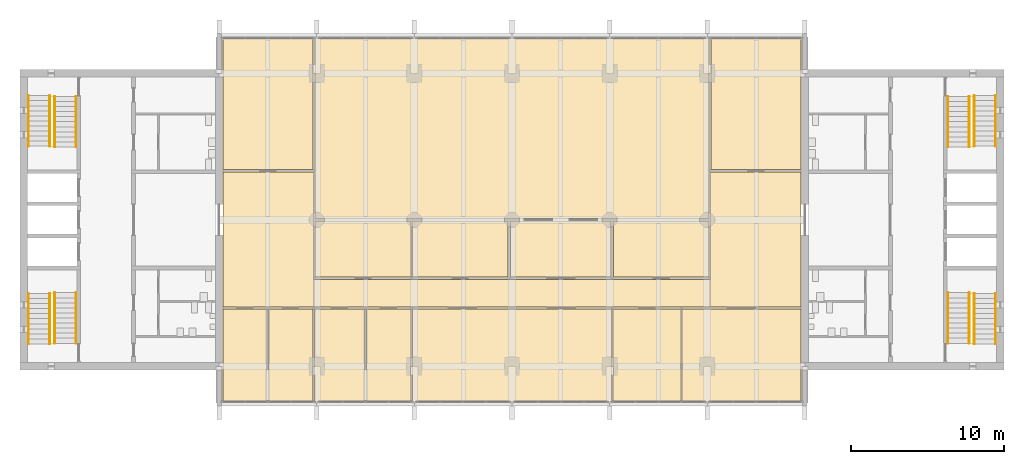
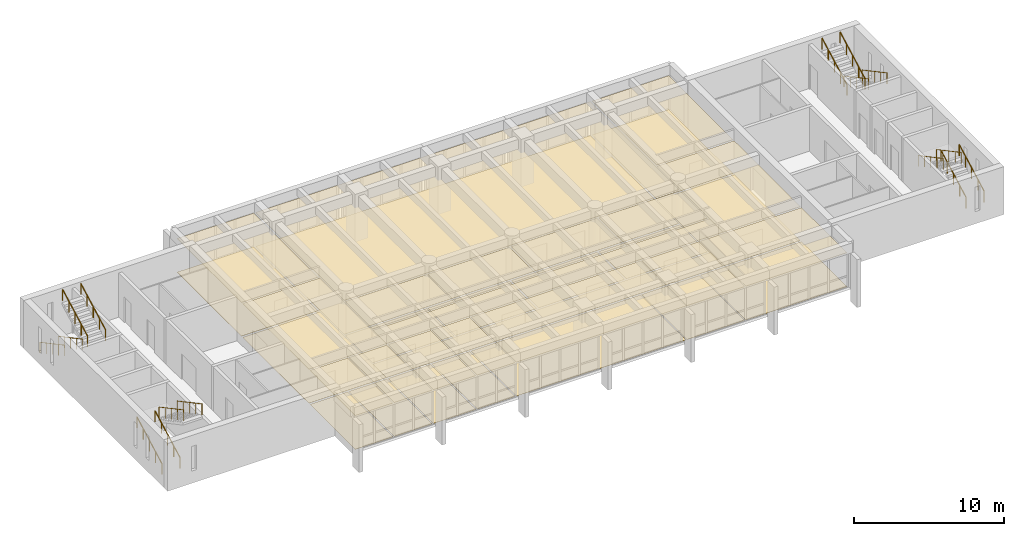
# One storey, part 14 of 15: 34 coverings, 16 railings.
"""IFC4 building model written with IfcOpenShell, lengths in metres."""

import ifcopenshell
import ifcopenshell.guid

model = None  # the IFC model being written
_history = None  # IfcOwnerHistory: only IFC2X3 demands one
_inside = {}  # id of a spatial element -> (the spatial element, [elements in it])
_under = {}  # id of a project, library or spatial element -> (it, [spatial elements below it])
_declared = {}  # id of a project -> (the project, [libraries it declares])
_typed = {}  # id of a type object -> (the type object, [elements of that type])
_made_of = {}  # id of a material, layer set ... -> (it, [elements and type objects made of it])


def new_model(schema):
    """Start an empty IFC model of exactly this schema.

    Asked for "IFC4X3", IfcOpenShell would pick the latest addendum, in which some entities
    have other attributes; the version numbers below select the first issue.
    IFC2X3 requires an IfcOwnerHistory on every rooted entity: one is made here for all.
    """
    global model, _history
    if schema == "IFC4X3":
        model = ifcopenshell.file(schema_version=(4, 3, 0, 0))
    else:
        model = ifcopenshell.file(schema=schema)
    _inside.clear()
    _under.clear()
    _declared.clear()
    _typed.clear()
    _made_of.clear()
    _history = None
    if model.schema == "IFC2X3":
        org = make("IfcOrganization", Name="unknown")
        user = make(
            "IfcPersonAndOrganization",
            ThePerson=make("IfcPerson", FamilyName="unknown"),
            TheOrganization=org,
        )
        app = make(
            "IfcApplication",
            ApplicationDeveloper=org,
            Version="unknown",
            ApplicationFullName="unknown",
            ApplicationIdentifier="unknown",
        )
        _history = make(
            "IfcOwnerHistory",
            OwningUser=user,
            OwningApplication=app,
            ChangeAction="ADDED",
            CreationDate=0,
        )
    return model


def make(cls, **values):
    """One entity of the class cls with the attributes given. An attribute that is None is left unset."""
    return model.create_entity(
        cls, **{name: value for name, value in values.items() if value is not None}
    )


def rooted(cls, **values):
    """An entity with a GlobalId (a new one), such as an element, a storey or a relation."""
    return make(cls, GlobalId=ifcopenshell.guid.new(), OwnerHistory=_history, **values)


def si_unit(unit_type, name, prefix=None):
    """IfcSIUnit, for example si_unit("LENGTHUNIT", "METRE", prefix="MILLI")."""
    return make("IfcSIUnit", UnitType=unit_type, Prefix=prefix, Name=name)


def assignment(units):
    """IfcUnitAssignment: the units of a project."""
    return None if units is None else make("IfcUnitAssignment", Units=units)


def point(xyz):
    """IfcCartesianPoint."""
    return None if xyz is None else make("IfcCartesianPoint", Coordinates=xyz)


def direction(xyz):
    """IfcDirection."""
    return None if xyz is None else make("IfcDirection", DirectionRatios=xyz)


def frame(location, z_axis=None, x_axis=None):
    """IfcAxis2Placement3D, a coordinate frame: its origin and axes. An axis left out is left unset."""
    return make(
        "IfcAxis2Placement3D",
        Location=point(location),
        Axis=direction(z_axis),
        RefDirection=direction(x_axis),
    )


def frame_2d(location, x_axis=None):
    """IfcAxis2Placement2D, a coordinate frame in the plane: its origin and x axis."""
    return make(
        "IfcAxis2Placement2D", Location=point(location), RefDirection=direction(x_axis)
    )


def origin():
    """The frame at (0, 0, 0) with its axes left unset."""
    return frame((0.0, 0.0, 0.0))


def origin_2d():
    """The frame at (0, 0) in the plane with its x axis left unset."""
    return frame_2d((0.0, 0.0))


def place(relative_to, where):
    """IfcLocalPlacement: puts the frame where relative to a parent placement (None: the world)."""
    return make(
        "IfcLocalPlacement", PlacementRelTo=relative_to, RelativePlacement=where
    )


def context(
    kind, dimensions, precision=None, world=None, true_north=None, identifier=None
):
    """IfcGeometricRepresentationContext, for example the 3D "Model" context."""
    return make(
        "IfcGeometricRepresentationContext",
        ContextIdentifier=identifier,
        ContextType=kind,
        CoordinateSpaceDimension=dimensions,
        Precision=precision,
        WorldCoordinateSystem=world,
        TrueNorth=true_north,
    )


def subcontext(parent, identifier, kind, view, scale=None):
    """IfcGeometricRepresentationSubContext, for example "Body" below "Model"."""
    return make(
        "IfcGeometricRepresentationSubContext",
        ContextIdentifier=identifier,
        ContextType=kind,
        ParentContext=parent,
        TargetScale=scale,
        TargetView=view,
    )


def project(units=None, contexts=None):
    """IfcProject with its units and contexts."""
    return rooted(
        "IfcProject",
        Name="project",
        RepresentationContexts=contexts,
        UnitsInContext=assignment(units),
    )


def spatial(cls, under=None, at=None, **own):
    """A site, building, storey or space (cls), placed at a placement, below another one or the project."""
    s = rooted(cls, ObjectPlacement=at, **own)
    if under is not None:
        _under.setdefault(under.id(), (under, []))[1].append(s)
    return s


def polyline(points):
    """IfcPolyline through the points."""
    return make("IfcPolyline", Points=[point(p) for p in points])


def profile(cls, at=None, kind="AREA", **sizes):
    """A parametric profile (cls). Its sizes go by their IFC names, for example OverallWidth=200.0."""
    return make(cls, ProfileType=kind, Position=at, **sizes)


def circle(**sizes):
    """IfcCircleProfileDef."""
    return profile("IfcCircleProfileDef", **sizes)


def outline(outer, holes=None, kind="AREA"):
    """IfcArbitraryClosedProfileDef: a profile drawn as a closed curve; with holes, ...WithVoids."""
    if holes is None:
        return make("IfcArbitraryClosedProfileDef", ProfileType=kind, OuterCurve=outer)
    return make(
        "IfcArbitraryProfileDefWithVoids",
        ProfileType=kind,
        OuterCurve=outer,
        InnerCurves=holes,
    )


def extrude(swept, where, along, depth):
    """IfcExtrudedAreaSolid: the profile swept, set in the frame where, extruded along a direction by depth."""
    return make(
        "IfcExtrudedAreaSolid",
        SweptArea=swept,
        Position=where,
        ExtrudedDirection=direction(along),
        Depth=depth,
    )


def shape(context_of_items, identifier, shape_type, items):
    """IfcShapeRepresentation: the items that make up one representation, for example the "Body"."""
    return make(
        "IfcShapeRepresentation",
        ContextOfItems=context_of_items,
        RepresentationIdentifier=identifier,
        RepresentationType=shape_type,
        Items=items,
    )


def material(Name=None, Category=None):
    """IfcMaterial."""
    return make("IfcMaterial", Name=Name, Category=Category)


def layer(
    of_material, thickness, ventilated=None, Name=None, Category=None, Priority=None
):
    """IfcMaterialLayer: one layer of a wall or slab, of a material (None: an air gap)."""
    return make(
        "IfcMaterialLayer",
        Material=of_material,
        LayerThickness=thickness,
        IsVentilated=ventilated,
        Name=Name,
        Category=Category,
        Priority=Priority,
    )


def layer_set(layers, Name=None):
    """IfcMaterialLayerSet."""
    return make("IfcMaterialLayerSet", MaterialLayers=layers, LayerSetName=Name)


def made_of(thing, what):
    """Note that an element or type object is made of a material, layer set ...; save() writes the relation."""
    if what is not None:
        _made_of.setdefault(what.id(), (what, []))[1].append(thing)
    return thing


def type_object(cls, material=None, **own):
    """A type object (cls), such as IfcWallType, which elements share."""
    return made_of(rooted(cls, **own), material)


def element(
    cls,
    number,
    at=None,
    inside=None,
    cuts=None,
    type_object=None,
    material=None,
    context=None,
    identifier="Body",
    shape_type=None,
    held_by="IfcProductDefinitionShape",
    body=None,
    shapes=None,
    **own,
):
    """One element of the class cls, such as IfcWall. Its Tag is "e" and its number.

    at: its placement. inside: the storey or other place that contains it. cuts: it is an
    opening in that element (IfcRelVoidsElement). A single representation is given by context,
    identifier, shape_type and body (its items); several are given by shapes. held_by: the class
    of the entity that holds the representations. save() writes the other relations.
    """
    e = rooted(cls, Tag="e%d" % number, ObjectPlacement=at, **own)
    if body is not None:
        shapes = [shape(context, identifier, shape_type, body)]
    if shapes is not None:
        e.Representation = make(held_by, Representations=shapes)
    if inside is not None:
        _inside.setdefault(inside.id(), (inside, []))[1].append(e)
    if cuts is not None:
        rooted(
            "IfcRelVoidsElement", RelatingBuildingElement=cuts, RelatedOpeningElement=e
        )
    if type_object is not None:
        _typed.setdefault(type_object.id(), (type_object, []))[1].append(e)
    return made_of(e, material)


def aggregate(whole, parts):
    """IfcRelAggregates: a whole, such as a stair, and the parts it consists of."""
    return rooted("IfcRelAggregates", RelatingObject=whole, RelatedObjects=parts)


def save(model, path):
    """Write the relations noted so far, then the file.

    IfcRelAggregates (storeys below a building ...), IfcRelContainedInSpatialStructure (elements
    in a storey), IfcRelDefinesByType, IfcRelAssociatesMaterial and IfcRelDeclares: one each for
    every whole, place, type object, material and project.
    """
    for whole, parts in _under.values():
        aggregate(whole, parts)
    for where, things in _inside.values():
        rooted(
            "IfcRelContainedInSpatialStructure",
            RelatedElements=things,
            RelatingStructure=where,
        )
    for kind, things in _typed.values():
        rooted("IfcRelDefinesByType", RelatedObjects=things, RelatingType=kind)
    for what, things in _made_of.values():
        rooted("IfcRelAssociatesMaterial", RelatedObjects=things, RelatingMaterial=what)
    for by, libraries in _declared.values():
        rooted("IfcRelDeclares", RelatingContext=by, RelatedDefinitions=libraries)
    model.write(path)


model = new_model("IFC4")

# Units and contexts
model_context = context("Model", 3, precision=1e-05, world=origin(), true_north=direction((0.0, 1.0)))
body_context = subcontext(model_context, "Body", "Model", "MODEL_VIEW")
ifc_project = project(units=[si_unit("LENGTHUNIT", "METRE"), si_unit("AREAUNIT", "SQUARE_METRE"), si_unit("VOLUMEUNIT", "CUBIC_METRE"), si_unit("PLANEANGLEUNIT", "RADIAN"), si_unit("MASSUNIT", "GRAM", prefix="KILO")], contexts=[model_context])

# Site, building, storey
site_placement = place(None, origin())
site = spatial("IfcSite", under=ifc_project, at=site_placement, CompositionType="ELEMENT")
building_placement = place(site_placement, origin())
building = spatial("IfcBuilding", under=site, at=building_placement, Name="Fogon Plaza Fire Station and Headquarters Tower", CompositionType="ELEMENT")
storey_placement = place(building_placement, frame((0.0, 0.0, 28.800048828125)))
storey = spatial("IfcBuildingStorey", under=building, at=storey_placement, Name="L07", CompositionType="ELEMENT", Elevation=28.800048828125)

# Railings
ifc_material_1 = material(Name="Steel", Category="steel")
railing_type = type_object("IfcRailingType", Name="Stair Handrail 900", PredefinedType="HANDRAIL", material=ifc_material_1)
for number, where, name in (
    (1, (13.10009765625, 35.06005859375, 0.17724609375), "Handrail ST1"),
    (2, (14.5, 35.06005859375, 0.17724609375), "Handrail ST1"),
):
    element("IfcRailing", number, at=place(storey_placement, frame(where)), inside=storey, type_object=railing_type, Name=name, PredefinedType="HANDRAIL", context=body_context, shape_type="SweptSolid", body=[
        extrude(circle(Radius=0.02392578125, at=origin_2d()), frame((0.0, 0.0, 0.8759765625), z_axis=(0.0, 0.881829236777, 0.471568867892), x_axis=(-1.0, 0.0, 0.0)), (0.0, 0.0, 1.0), 3.75927734375),
        extrude(circle(Radius=0.02099609375, at=origin_2d()), origin(), (0.0, 0.0, 1.0), 0.851806640625),
        extrude(circle(Radius=0.02099609375, at=origin_2d()), frame((0.0, 0.82861328125, 0.443115234375)), (0.0, 0.0, 1.0), 0.851806640625),
        extrude(circle(Radius=0.02099609375, at=origin_2d()), frame((0.0, 1.657470703125, 0.88623046875)), (0.0, 0.0, 1.0), 0.851806640625),
        extrude(circle(Radius=0.02099609375, at=origin_2d()), frame((0.0, 2.486328125, 1.32958984375)), (0.0, 0.0, 1.0), 0.851806640625),
        extrude(circle(Radius=0.02099609375, at=origin_2d()), frame((0.0, 3.31494140625, 1.772705078125)), (0.0, 0.0, 1.0), 0.851806640625),
    ])
for number, where, name in (
    (3, (16.22509765625, 38.425048828125, 2.127197265625), "Handrail ST1"),
    (4, (14.824951171875, 38.425048828125, 2.127197265625), "Handrail ST1"),
):
    element("IfcRailing", number, at=place(storey_placement, frame(where)), inside=storey, type_object=railing_type, Name=name, PredefinedType="HANDRAIL", context=body_context, shape_type="SweptSolid", body=[
        extrude(circle(Radius=0.02392578125, at=origin_2d()), frame((0.0, 0.0, 0.8759765625), z_axis=(0.0, -0.881829236777, 0.471568867892), x_axis=(1.0, 0.0, 0.0)), (0.0, 0.0, 1.0), 3.75927734375),
        extrude(circle(Radius=0.02099609375, at=origin_2d()), origin(), (0.0, 0.0, 1.0), 0.851806640625),
        extrude(circle(Radius=0.02099609375, at=origin_2d()), frame((0.0, -0.82861328125, 0.443115234375)), (0.0, 0.0, 1.0), 0.851806640625),
        extrude(circle(Radius=0.02099609375, at=origin_2d()), frame((0.0, -1.657470703125, 0.88623046875)), (0.0, 0.0, 1.0), 0.851806640625),
        extrude(circle(Radius=0.02099609375, at=origin_2d()), frame((0.0, -2.486328125, 1.32958984375)), (0.0, 0.0, 1.0), 0.851806640625),
        extrude(circle(Radius=0.02099609375, at=origin_2d()), frame((0.0, -3.31494140625, 1.772705078125)), (0.0, 0.0, 1.0), 0.851806640625),
    ])
for number, where, name in (
    (5, (13.10009765625, 51.340087890625, 0.17724609375), "Handrail ST2"),
    (6, (14.5, 51.340087890625, 0.17724609375), "Handrail ST2"),
):
    element("IfcRailing", number, at=place(storey_placement, frame(where)), inside=storey, type_object=railing_type, Name=name, PredefinedType="HANDRAIL", context=body_context, shape_type="SweptSolid", body=[
        extrude(circle(Radius=0.02392578125, at=origin_2d()), frame((0.0, 0.0, 0.8759765625), z_axis=(0.0, -0.881843677922, 0.471541862095), x_axis=(1.0, 0.0, 0.0)), (0.0, 0.0, 1.0), 3.75927734375),
        extrude(circle(Radius=0.02099609375, at=origin_2d()), origin(), (0.0, 0.0, 1.0), 0.851806640625),
        extrude(circle(Radius=0.02099609375, at=origin_2d()), frame((0.0, -0.828857421875, 0.443115234375)), (0.0, 0.0, 1.0), 0.851806640625),
        extrude(circle(Radius=0.02099609375, at=origin_2d()), frame((0.0, -1.65771484375, 0.88623046875)), (0.0, 0.0, 1.0), 0.851806640625),
        extrude(circle(Radius=0.02099609375, at=origin_2d()), frame((0.0, -2.486328125, 1.32958984375)), (0.0, 0.0, 1.0), 0.851806640625),
        extrude(circle(Radius=0.02099609375, at=origin_2d()), frame((0.0, -3.315185546875, 1.772705078125)), (0.0, 0.0, 1.0), 0.851806640625),
    ])
for number, where, name in (
    (7, (16.22509765625, 47.97509765625, 2.127197265625), "Handrail ST2"),
    (8, (14.824951171875, 47.97509765625, 2.127197265625), "Handrail ST2"),
    (9, (76.5, 35.06005859375, 0.17724609375), "Handrail ST3"),
    (10, (75.10009765625, 35.06005859375, 0.17724609375), "Handrail ST3"),
):
    element("IfcRailing", number, at=place(storey_placement, frame(where)), inside=storey, type_object=railing_type, Name=name, PredefinedType="HANDRAIL", context=body_context, shape_type="SweptSolid", body=[
        extrude(circle(Radius=0.02392578125, at=origin_2d()), frame((0.0, 0.0, 0.8759765625), z_axis=(0.0, 0.881829236777, 0.471568867892), x_axis=(-1.0, 0.0, 0.0)), (0.0, 0.0, 1.0), 3.75927734375),
        extrude(circle(Radius=0.02099609375, at=origin_2d()), origin(), (0.0, 0.0, 1.0), 0.851806640625),
        extrude(circle(Radius=0.02099609375, at=origin_2d()), frame((0.0, 0.82861328125, 0.443115234375)), (0.0, 0.0, 1.0), 0.851806640625),
        extrude(circle(Radius=0.02099609375, at=origin_2d()), frame((0.0, 1.657470703125, 0.88623046875)), (0.0, 0.0, 1.0), 0.851806640625),
        extrude(circle(Radius=0.02099609375, at=origin_2d()), frame((0.0, 2.486328125, 1.32958984375)), (0.0, 0.0, 1.0), 0.851806640625),
        extrude(circle(Radius=0.02099609375, at=origin_2d()), frame((0.0, 3.31494140625, 1.772705078125)), (0.0, 0.0, 1.0), 0.851806640625),
    ])
for number, where, name in (
    (11, (73.375, 38.425048828125, 2.127197265625), "Handrail ST3"),
    (12, (74.77490234375, 38.425048828125, 2.127197265625), "Handrail ST3"),
):
    element("IfcRailing", number, at=place(storey_placement, frame(where)), inside=storey, type_object=railing_type, Name=name, PredefinedType="HANDRAIL", context=body_context, shape_type="SweptSolid", body=[
        extrude(circle(Radius=0.02392578125, at=origin_2d()), frame((0.0, 0.0, 0.8759765625), z_axis=(0.0, -0.881829236777, 0.471568867892), x_axis=(1.0, 0.0, 0.0)), (0.0, 0.0, 1.0), 3.75927734375),
        extrude(circle(Radius=0.02099609375, at=origin_2d()), origin(), (0.0, 0.0, 1.0), 0.851806640625),
        extrude(circle(Radius=0.02099609375, at=origin_2d()), frame((0.0, -0.82861328125, 0.443115234375)), (0.0, 0.0, 1.0), 0.851806640625),
        extrude(circle(Radius=0.02099609375, at=origin_2d()), frame((0.0, -1.657470703125, 0.88623046875)), (0.0, 0.0, 1.0), 0.851806640625),
        extrude(circle(Radius=0.02099609375, at=origin_2d()), frame((0.0, -2.486328125, 1.32958984375)), (0.0, 0.0, 1.0), 0.851806640625),
        extrude(circle(Radius=0.02099609375, at=origin_2d()), frame((0.0, -3.31494140625, 1.772705078125)), (0.0, 0.0, 1.0), 0.851806640625),
    ])
for number, where, name in (
    (13, (76.5, 51.340087890625, 0.17724609375), "Handrail ST4"),
    (14, (75.10009765625, 51.340087890625, 0.17724609375), "Handrail ST4"),
):
    element("IfcRailing", number, at=place(storey_placement, frame(where)), inside=storey, type_object=railing_type, Name=name, PredefinedType="HANDRAIL", context=body_context, shape_type="SweptSolid", body=[
        extrude(circle(Radius=0.02392578125, at=origin_2d()), frame((0.0, 0.0, 0.8759765625), z_axis=(0.0, -0.881843677922, 0.471541862095), x_axis=(1.0, 0.0, 0.0)), (0.0, 0.0, 1.0), 3.75927734375),
        extrude(circle(Radius=0.02099609375, at=origin_2d()), origin(), (0.0, 0.0, 1.0), 0.851806640625),
        extrude(circle(Radius=0.02099609375, at=origin_2d()), frame((0.0, -0.828857421875, 0.443115234375)), (0.0, 0.0, 1.0), 0.851806640625),
        extrude(circle(Radius=0.02099609375, at=origin_2d()), frame((0.0, -1.65771484375, 0.88623046875)), (0.0, 0.0, 1.0), 0.851806640625),
        extrude(circle(Radius=0.02099609375, at=origin_2d()), frame((0.0, -2.486328125, 1.32958984375)), (0.0, 0.0, 1.0), 0.851806640625),
        extrude(circle(Radius=0.02099609375, at=origin_2d()), frame((0.0, -3.315185546875, 1.772705078125)), (0.0, 0.0, 1.0), 0.851806640625),
    ])
for number, where, name in (
    (15, (73.375, 47.97509765625, 2.127197265625), "Handrail ST4"),
    (16, (74.77490234375, 47.97509765625, 2.127197265625), "Handrail ST4"),
):
    element("IfcRailing", number, at=place(storey_placement, frame(where)), inside=storey, type_object=railing_type, Name=name, PredefinedType="HANDRAIL", context=body_context, shape_type="SweptSolid", body=[
        extrude(circle(Radius=0.02392578125, at=origin_2d()), frame((0.0, 0.0, 0.8759765625), z_axis=(0.0, 0.881829236777, 0.471568867892), x_axis=(-1.0, 0.0, 0.0)), (0.0, 0.0, 1.0), 3.75927734375),
        extrude(circle(Radius=0.02099609375, at=origin_2d()), origin(), (0.0, 0.0, 1.0), 0.851806640625),
        extrude(circle(Radius=0.02099609375, at=origin_2d()), frame((0.0, 0.82861328125, 0.443115234375)), (0.0, 0.0, 1.0), 0.851806640625),
        extrude(circle(Radius=0.02099609375, at=origin_2d()), frame((0.0, 1.657470703125, 0.88623046875)), (0.0, 0.0, 1.0), 0.851806640625),
        extrude(circle(Radius=0.02099609375, at=origin_2d()), frame((0.0, 2.486328125, 1.32958984375)), (0.0, 0.0, 1.0), 0.851806640625),
        extrude(circle(Radius=0.02099609375, at=origin_2d()), frame((0.0, 3.31494140625, 1.772705078125)), (0.0, 0.0, 1.0), 0.851806640625),
    ])

# Coverings
ifc_material_2 = material(Name="Acoustic ceiling tile")
ifc_layer_1 = layer(ifc_material_2, 0.050048828125)
ifc_layer_set_1 = layer_set([ifc_layer_1], Name="Acoustic ceiling tile")
covering_type_1 = type_object("IfcCoveringType", Name="Tower acoustic ceiling", PredefinedType="CEILING", material=ifc_layer_set_1)
covering_1_placement = place(storey_placement, frame((0.0, 0.0, 2.72998046875)))
element("IfcCovering", 17, at=covering_1_placement, inside=storey, type_object=covering_type_1, Name="cov-cl-L07-06", PredefinedType="CEILING", context=body_context, shape_type="SweptSolid", body=[
    extrude(outline(polyline([(55.87255859375, 31.300048828125), (55.87255859375, 37.35009765625), (51.41748046875, 37.35009765625), (51.41748046875, 31.300048828125), (55.87255859375, 31.300048828125)])), origin(), (0.0, 0.0, 1.0), 0.050048828125),
])
covering_2_placement = place(storey_placement, frame((0.0, 0.0, 2.72998046875)))
element("IfcCovering", 18, at=covering_2_placement, inside=storey, type_object=covering_type_1, Name="cov-cl-L07-08", PredefinedType="CEILING", context=body_context, shape_type="SweptSolid", body=[
    extrude(outline(polyline([(38.1826171875, 39.449951171875), (38.1826171875, 43.125), (31.89501953125, 43.125), (31.89501953125, 39.449951171875), (38.1826171875, 39.449951171875)])), origin(), (0.0, 0.0, 1.0), 0.050048828125),
])
covering_3_placement = place(storey_placement, frame((0.0, 0.0, 2.72998046875)))
element("IfcCovering", 19, at=covering_3_placement, inside=storey, type_object=covering_type_1, Name="cov-cl-L07-09", PredefinedType="CEILING", context=body_context, shape_type="SweptSolid", body=[
    extrude(outline(polyline([(44.544921875, 39.449951171875), (44.544921875, 43.125), (38.257568359375, 43.125), (38.257568359375, 39.449951171875), (44.544921875, 39.449951171875)])), origin(), (0.0, 0.0, 1.0), 0.050048828125),
])
covering_4_placement = place(storey_placement, frame((0.0, 0.0, 2.72998046875)))
element("IfcCovering", 20, at=covering_4_placement, inside=storey, type_object=covering_type_1, Name="cov-cl-L07-11", PredefinedType="CEILING", context=body_context, shape_type="SweptSolid", body=[
    extrude(outline(polyline([(57.705078125, 39.449951171875), (57.705078125, 43.125), (51.455078125, 43.125), (51.455078125, 39.449951171875), (57.705078125, 39.449951171875)])), origin(), (0.0, 0.0, 1.0), 0.050048828125),
])
ifc_material_3 = material(Name="Carpet tile")
ifc_layer_2 = layer(ifc_material_3, 0.011962890625)
ifc_layer_set_2 = layer_set([ifc_layer_2], Name="Carpet tile")
covering_type_2 = type_object("IfcCoveringType", Name="Tower carpet tile floor", PredefinedType="FLOORING", material=ifc_layer_set_2)
covering_5_placement = place(storey_placement, origin())
element("IfcCovering", 21, at=covering_5_placement, inside=storey, type_object=covering_type_2, Name="cov-fl-L07-01", PredefinedType="FLOORING", context=body_context, shape_type="SweptSolid", body=[
    extrude(outline(polyline([(28.75, 31.300048828125), (28.75, 37.35009765625), (25.85009765625, 37.35009765625), (25.85009765625, 31.300048828125), (28.75, 31.300048828125)])), origin(), (0.0, 0.0, 1.0), 0.011962890625),
])
covering_6_placement = place(storey_placement, origin())
element("IfcCovering", 22, at=covering_6_placement, inside=storey, type_object=covering_type_2, Name="cov-fl-L07-02", PredefinedType="FLOORING", context=body_context, shape_type="SweptSolid", body=[
    extrude(outline(polyline([(31.77001953125, 31.300048828125), (31.77001953125, 37.35009765625), (28.85009765625, 37.35009765625), (28.85009765625, 31.300048828125), (31.77001953125, 31.300048828125)])), origin(), (0.0, 0.0, 1.0), 0.011962890625),
])
covering_7_placement = place(storey_placement, origin())
element("IfcCovering", 23, at=covering_7_placement, inside=storey, type_object=covering_type_2, Name="cov-fl-L07-03", PredefinedType="FLOORING", context=body_context, shape_type="SweptSolid", body=[
    extrude(outline(polyline([(35.14990234375, 31.300048828125), (35.14990234375, 37.35009765625), (31.8701171875, 37.35009765625), (31.8701171875, 31.300048828125), (35.14990234375, 31.300048828125)])), origin(), (0.0, 0.0, 1.0), 0.011962890625),
])
covering_8_placement = place(storey_placement, origin())
element("IfcCovering", 24, at=covering_8_placement, inside=storey, type_object=covering_type_2, Name="cov-fl-L07-04", PredefinedType="FLOORING", context=body_context, shape_type="SweptSolid", body=[
    extrude(outline(polyline([(38.169921875, 31.300048828125), (38.169921875, 37.35009765625), (35.25, 37.35009765625), (35.25, 31.300048828125), (38.169921875, 31.300048828125)])), origin(), (0.0, 0.0, 1.0), 0.011962890625),
])
covering_9_placement = place(storey_placement, origin())
element("IfcCovering", 25, at=covering_9_placement, inside=storey, type_object=covering_type_2, Name="cov-fl-L07-05", PredefinedType="FLOORING", context=body_context, shape_type="SweptSolid", body=[
    extrude(outline(polyline([(51.342529296875, 31.300048828125), (51.342529296875, 37.35009765625), (38.27001953125, 37.35009765625), (38.27001953125, 31.300048828125), (51.342529296875, 31.300048828125)])), origin(), (0.0, 0.0, 1.0), 0.011962890625),
])
covering_10_placement = place(storey_placement, origin())
element("IfcCovering", 26, at=covering_10_placement, inside=storey, type_object=covering_type_2, Name="cov-fl-L07-06", PredefinedType="FLOORING", context=body_context, shape_type="SweptSolid", body=[
    extrude(outline(polyline([(55.87255859375, 31.300048828125), (55.87255859375, 37.35009765625), (51.41748046875, 37.35009765625), (51.41748046875, 31.300048828125), (55.87255859375, 31.300048828125)])), origin(), (0.0, 0.0, 1.0), 0.011962890625),
])
covering_11_placement = place(storey_placement, origin())
element("IfcCovering", 27, at=covering_11_placement, inside=storey, type_object=covering_type_2, Name="cov-fl-L07-07", PredefinedType="FLOORING", context=body_context, shape_type="SweptSolid", body=[
    extrude(outline(polyline([(63.75, 31.300048828125), (63.75, 37.35009765625), (55.947509765625, 37.35009765625), (55.947509765625, 31.300048828125), (63.75, 31.300048828125)])), origin(), (0.0, 0.0, 1.0), 0.011962890625),
])
covering_12_placement = place(storey_placement, origin())
element("IfcCovering", 28, at=covering_12_placement, inside=storey, type_object=covering_type_2, Name="cov-fl-L07-08", PredefinedType="FLOORING", context=body_context, shape_type="SweptSolid", body=[
    extrude(outline(polyline([(38.1826171875, 39.449951171875), (38.1826171875, 43.125), (31.89501953125, 43.125), (31.89501953125, 39.449951171875), (38.1826171875, 39.449951171875)])), origin(), (0.0, 0.0, 1.0), 0.011962890625),
])
covering_13_placement = place(storey_placement, origin())
element("IfcCovering", 29, at=covering_13_placement, inside=storey, type_object=covering_type_2, Name="cov-fl-L07-09", PredefinedType="FLOORING", context=body_context, shape_type="SweptSolid", body=[
    extrude(outline(polyline([(44.544921875, 39.449951171875), (44.544921875, 43.125), (38.257568359375, 43.125), (38.257568359375, 39.449951171875), (44.544921875, 39.449951171875)])), origin(), (0.0, 0.0, 1.0), 0.011962890625),
])
covering_14_placement = place(storey_placement, origin())
element("IfcCovering", 30, at=covering_14_placement, inside=storey, type_object=covering_type_2, Name="cov-fl-L07-11", PredefinedType="FLOORING", context=body_context, shape_type="SweptSolid", body=[
    extrude(outline(polyline([(57.705078125, 39.449951171875), (57.705078125, 43.125), (51.455078125, 43.125), (51.455078125, 39.449951171875), (57.705078125, 39.449951171875)])), origin(), (0.0, 0.0, 1.0), 0.011962890625),
])
covering_15_placement = place(storey_placement, origin())
element("IfcCovering", 31, at=covering_15_placement, inside=storey, type_object=covering_type_2, Name="cov-fl-L07-12", PredefinedType="FLOORING", context=body_context, shape_type="SweptSolid", body=[
    extrude(outline(polyline([(57.705078125, 43.27490234375), (57.705078125, 55.10009765625), (31.89501953125, 55.10009765625), (31.89501953125, 43.27490234375), (57.705078125, 43.27490234375)])), origin(), (0.0, 0.0, 1.0), 0.011962890625),
])
ifc_material_4 = material(Name="Ceramic tile")
ifc_layer_3 = layer(ifc_material_4, 0.02001953125)
ifc_layer_set_3 = layer_set([ifc_layer_3], Name="Ceramic tile")
covering_type_3 = type_object("IfcCoveringType", Name="Tower ceramic tile floor", PredefinedType="FLOORING", material=ifc_layer_set_3)
covering_16_placement = place(storey_placement, origin())
element("IfcCovering", 32, at=covering_16_placement, inside=storey, type_object=covering_type_3, Name="cov-fl-L07-14", PredefinedType="FLOORING", context=body_context, shape_type="SweptSolid", body=[
    extrude(outline(polyline([(63.75, 46.5), (63.75, 55.10009765625), (57.85498046875, 55.10009765625), (57.85498046875, 46.5), (63.75, 46.5)])), origin(), (0.0, 0.0, 1.0), 0.02001953125),
])
ifc_material_5 = material(Name="Heavy duty carpet tile")
ifc_layer_4 = layer(ifc_material_5, 0.013916015625)
ifc_layer_set_4 = layer_set([ifc_layer_4], Name="Heavy duty carpet tile")
covering_type_4 = type_object("IfcCoveringType", Name="Tower corridor carpet floor", PredefinedType="FLOORING", material=ifc_layer_set_4)
covering_17_placement = place(storey_placement, origin())
element("IfcCovering", 33, at=covering_17_placement, inside=storey, type_object=covering_type_4, Name="cov-fl-L07-10", PredefinedType="FLOORING", context=body_context, shape_type="SweptSolid", body=[
    extrude(outline(polyline([(51.304931640625, 39.449951171875), (51.304931640625, 43.125), (44.695068359375, 43.125), (44.695068359375, 39.449951171875), (51.304931640625, 39.449951171875)])), origin(), (0.0, 0.0, 1.0), 0.013916015625),
])
covering_18_placement = place(storey_placement, origin())
element("IfcCovering", 34, at=covering_18_placement, inside=storey, type_object=covering_type_4, Name="cov-fl-L07-15", PredefinedType="FLOORING", context=body_context, shape_type="SweptSolid", body=[
    extrude(outline(polyline([(57.780029296875, 37.5), (57.780029296875, 39.300048828125), (31.820068359375, 39.300048828125), (31.820068359375, 37.5), (57.780029296875, 37.5)])), origin(), (0.0, 0.0, 1.0), 0.013916015625),
])
covering_19_placement = place(storey_placement, origin())
element("IfcCovering", 35, at=covering_19_placement, inside=storey, type_object=covering_type_4, Name="cov-fl-L07-16", PredefinedType="FLOORING", context=body_context, shape_type="SweptSolid", body=[
    extrude(outline(polyline([(31.820068359375, 37.5), (31.820068359375, 46.35009765625), (25.85009765625, 46.35009765625), (25.85009765625, 37.5), (31.820068359375, 37.5)])), origin(), (0.0, 0.0, 1.0), 0.013916015625),
])
covering_20_placement = place(storey_placement, origin())
element("IfcCovering", 36, at=covering_20_placement, inside=storey, type_object=covering_type_4, Name="cov-fl-L07-17", PredefinedType="FLOORING", context=body_context, shape_type="SweptSolid", body=[
    extrude(outline(polyline([(63.75, 37.5), (63.75, 46.35009765625), (57.780029296875, 46.35009765625), (57.780029296875, 37.5), (63.75, 37.5)])), origin(), (0.0, 0.0, 1.0), 0.013916015625),
])
ifc_material_6 = material(Name="Moisture resistant plasterboard ceiling")
ifc_layer_5 = layer(ifc_material_6, 0.034912109375)
ifc_layer_set_5 = layer_set([ifc_layer_5], Name="Moisture resistant plasterboard ceiling")
covering_type_5 = type_object("IfcCoveringType", Name="Tower moisture resistant ceiling", PredefinedType="CEILING", material=ifc_layer_set_5)
covering_21_placement = place(storey_placement, frame((0.0, 0.0, 2.744873046875)))
element("IfcCovering", 37, at=covering_21_placement, inside=storey, type_object=covering_type_5, Name="cov-cl-L07-14", PredefinedType="CEILING", context=body_context, shape_type="SweptSolid", body=[
    extrude(outline(polyline([(63.75, 46.5), (63.75, 55.10009765625), (57.85498046875, 55.10009765625), (57.85498046875, 46.5), (63.75, 46.5)])), origin(), (0.0, 0.0, 1.0), 0.03515625),
])
ifc_material_7 = material(Name="Plasterboard ceiling")
ifc_layer_6 = layer(ifc_material_7, 0.030029296875)
ifc_layer_set_6 = layer_set([ifc_layer_6], Name="Plasterboard ceiling")
covering_type_6 = type_object("IfcCoveringType", Name="Tower plasterboard ceiling", PredefinedType="CEILING", material=ifc_layer_set_6)
covering_22_placement = place(storey_placement, frame((0.0, 0.0, 2.75)))
element("IfcCovering", 38, at=covering_22_placement, inside=storey, type_object=covering_type_6, Name="cov-cl-L07-10", PredefinedType="CEILING", context=body_context, shape_type="SweptSolid", body=[
    extrude(outline(polyline([(51.304931640625, 39.449951171875), (51.304931640625, 43.125), (44.695068359375, 43.125), (44.695068359375, 39.449951171875), (51.304931640625, 39.449951171875)])), origin(), (0.0, 0.0, 1.0), 0.030029296875),
])
covering_23_placement = place(storey_placement, frame((0.0, 0.0, 2.75)))
element("IfcCovering", 39, at=covering_23_placement, inside=storey, type_object=covering_type_6, Name="cov-cl-L07-15", PredefinedType="CEILING", context=body_context, shape_type="SweptSolid", body=[
    extrude(outline(polyline([(57.780029296875, 37.5), (57.780029296875, 39.300048828125), (31.820068359375, 39.300048828125), (31.820068359375, 37.5), (57.780029296875, 37.5)])), origin(), (0.0, 0.0, 1.0), 0.030029296875),
])
covering_24_placement = place(storey_placement, frame((0.0, 0.0, 2.75)))
element("IfcCovering", 40, at=covering_24_placement, inside=storey, type_object=covering_type_6, Name="cov-cl-L07-16", PredefinedType="CEILING", context=body_context, shape_type="SweptSolid", body=[
    extrude(outline(polyline([(31.820068359375, 37.5), (31.820068359375, 46.35009765625), (25.85009765625, 46.35009765625), (25.85009765625, 37.5), (31.820068359375, 37.5)])), origin(), (0.0, 0.0, 1.0), 0.030029296875),
])
covering_25_placement = place(storey_placement, frame((0.0, 0.0, 2.75)))
element("IfcCovering", 41, at=covering_25_placement, inside=storey, type_object=covering_type_6, Name="cov-cl-L07-17", PredefinedType="CEILING", context=body_context, shape_type="SweptSolid", body=[
    extrude(outline(polyline([(63.75, 37.5), (63.75, 46.35009765625), (57.780029296875, 46.35009765625), (57.780029296875, 37.5), (63.75, 37.5)])), origin(), (0.0, 0.0, 1.0), 0.030029296875),
])
ifc_material_8 = material(Name="Sealed cement screed")
ifc_layer_7 = layer(ifc_material_8, 0.030029296875)
ifc_layer_set_7 = layer_set([ifc_layer_7], Name="Sealed cement screed")
covering_type_7 = type_object("IfcCoveringType", Name="Tower sealed screed floor", PredefinedType="FLOORING", material=ifc_layer_set_7)
covering_26_placement = place(storey_placement, origin())
element("IfcCovering", 42, at=covering_26_placement, inside=storey, type_object=covering_type_7, Name="cov-fl-L07-13", PredefinedType="FLOORING", context=body_context, shape_type="SweptSolid", body=[
    extrude(outline(polyline([(31.7451171875, 46.5), (31.7451171875, 55.10009765625), (25.85009765625, 55.10009765625), (25.85009765625, 46.5), (31.7451171875, 46.5)])), origin(), (0.0, 0.0, 1.0), 0.030029296875),
])
ifc_material_9 = material(Name="Mineral fibre ceiling tile")
ifc_layer_8 = layer(ifc_material_9, 0.0400390625)
ifc_layer_set_8 = layer_set([ifc_layer_8], Name="Mineral fibre ceiling tile")
covering_type_8 = type_object("IfcCoveringType", Name="Tower suspended tile ceiling", PredefinedType="CEILING", material=ifc_layer_set_8)
covering_27_placement = place(storey_placement, frame((0.0, 0.0, 2.739990234375)))
element("IfcCovering", 43, at=covering_27_placement, inside=storey, type_object=covering_type_8, Name="cov-cl-L07-01", PredefinedType="CEILING", context=body_context, shape_type="SweptSolid", body=[
    extrude(outline(polyline([(28.75, 31.300048828125), (28.75, 37.35009765625), (25.85009765625, 37.35009765625), (25.85009765625, 31.300048828125), (28.75, 31.300048828125)])), origin(), (0.0, 0.0, 1.0), 0.0400390625),
])
covering_28_placement = place(storey_placement, frame((0.0, 0.0, 2.739990234375)))
element("IfcCovering", 44, at=covering_28_placement, inside=storey, type_object=covering_type_8, Name="cov-cl-L07-02", PredefinedType="CEILING", context=body_context, shape_type="SweptSolid", body=[
    extrude(outline(polyline([(31.77001953125, 31.300048828125), (31.77001953125, 37.35009765625), (28.85009765625, 37.35009765625), (28.85009765625, 31.300048828125), (31.77001953125, 31.300048828125)])), origin(), (0.0, 0.0, 1.0), 0.0400390625),
])
covering_29_placement = place(storey_placement, frame((0.0, 0.0, 2.739990234375)))
element("IfcCovering", 45, at=covering_29_placement, inside=storey, type_object=covering_type_8, Name="cov-cl-L07-03", PredefinedType="CEILING", context=body_context, shape_type="SweptSolid", body=[
    extrude(outline(polyline([(35.14990234375, 31.300048828125), (35.14990234375, 37.35009765625), (31.8701171875, 37.35009765625), (31.8701171875, 31.300048828125), (35.14990234375, 31.300048828125)])), origin(), (0.0, 0.0, 1.0), 0.0400390625),
])
covering_30_placement = place(storey_placement, frame((0.0, 0.0, 2.739990234375)))
element("IfcCovering", 46, at=covering_30_placement, inside=storey, type_object=covering_type_8, Name="cov-cl-L07-04", PredefinedType="CEILING", context=body_context, shape_type="SweptSolid", body=[
    extrude(outline(polyline([(38.169921875, 31.300048828125), (38.169921875, 37.35009765625), (35.25, 37.35009765625), (35.25, 31.300048828125), (38.169921875, 31.300048828125)])), origin(), (0.0, 0.0, 1.0), 0.0400390625),
])
covering_31_placement = place(storey_placement, frame((0.0, 0.0, 2.739990234375)))
element("IfcCovering", 47, at=covering_31_placement, inside=storey, type_object=covering_type_8, Name="cov-cl-L07-05", PredefinedType="CEILING", context=body_context, shape_type="SweptSolid", body=[
    extrude(outline(polyline([(51.342529296875, 31.300048828125), (51.342529296875, 37.35009765625), (38.27001953125, 37.35009765625), (38.27001953125, 31.300048828125), (51.342529296875, 31.300048828125)])), origin(), (0.0, 0.0, 1.0), 0.0400390625),
])
covering_32_placement = place(storey_placement, frame((0.0, 0.0, 2.739990234375)))
element("IfcCovering", 48, at=covering_32_placement, inside=storey, type_object=covering_type_8, Name="cov-cl-L07-07", PredefinedType="CEILING", context=body_context, shape_type="SweptSolid", body=[
    extrude(outline(polyline([(63.75, 31.300048828125), (63.75, 37.35009765625), (55.947509765625, 37.35009765625), (55.947509765625, 31.300048828125), (63.75, 31.300048828125)])), origin(), (0.0, 0.0, 1.0), 0.0400390625),
])
covering_33_placement = place(storey_placement, frame((0.0, 0.0, 2.739990234375)))
element("IfcCovering", 49, at=covering_33_placement, inside=storey, type_object=covering_type_8, Name="cov-cl-L07-12", PredefinedType="CEILING", context=body_context, shape_type="SweptSolid", body=[
    extrude(outline(polyline([(57.705078125, 43.27490234375), (57.705078125, 55.10009765625), (31.89501953125, 55.10009765625), (31.89501953125, 43.27490234375), (57.705078125, 43.27490234375)])), origin(), (0.0, 0.0, 1.0), 0.0400390625),
])
covering_34_placement = place(storey_placement, frame((0.0, 0.0, 2.739990234375)))
element("IfcCovering", 50, at=covering_34_placement, inside=storey, type_object=covering_type_8, Name="cov-cl-L07-13", PredefinedType="CEILING", context=body_context, shape_type="SweptSolid", body=[
    extrude(outline(polyline([(31.7451171875, 46.5), (31.7451171875, 55.10009765625), (25.85009765625, 55.10009765625), (25.85009765625, 46.5), (31.7451171875, 46.5)])), origin(), (0.0, 0.0, 1.0), 0.0400390625),
])

save(model, "model.ifc")
